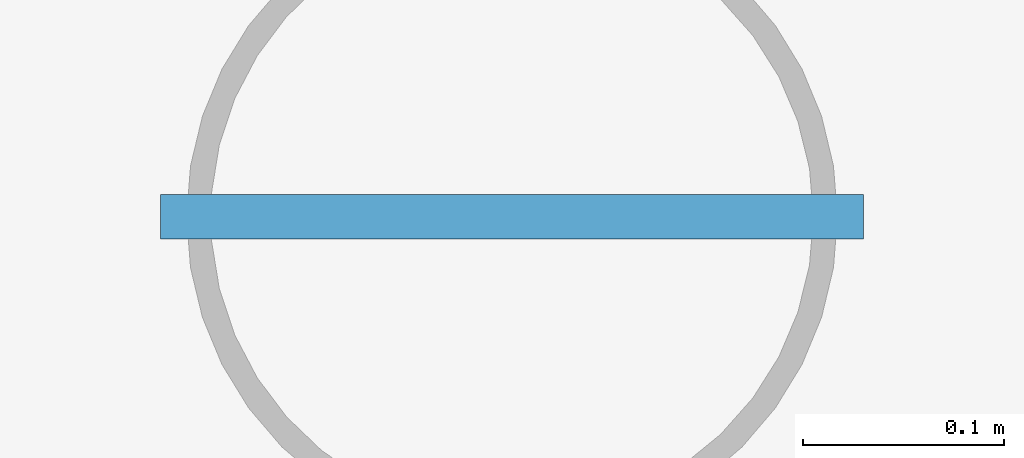
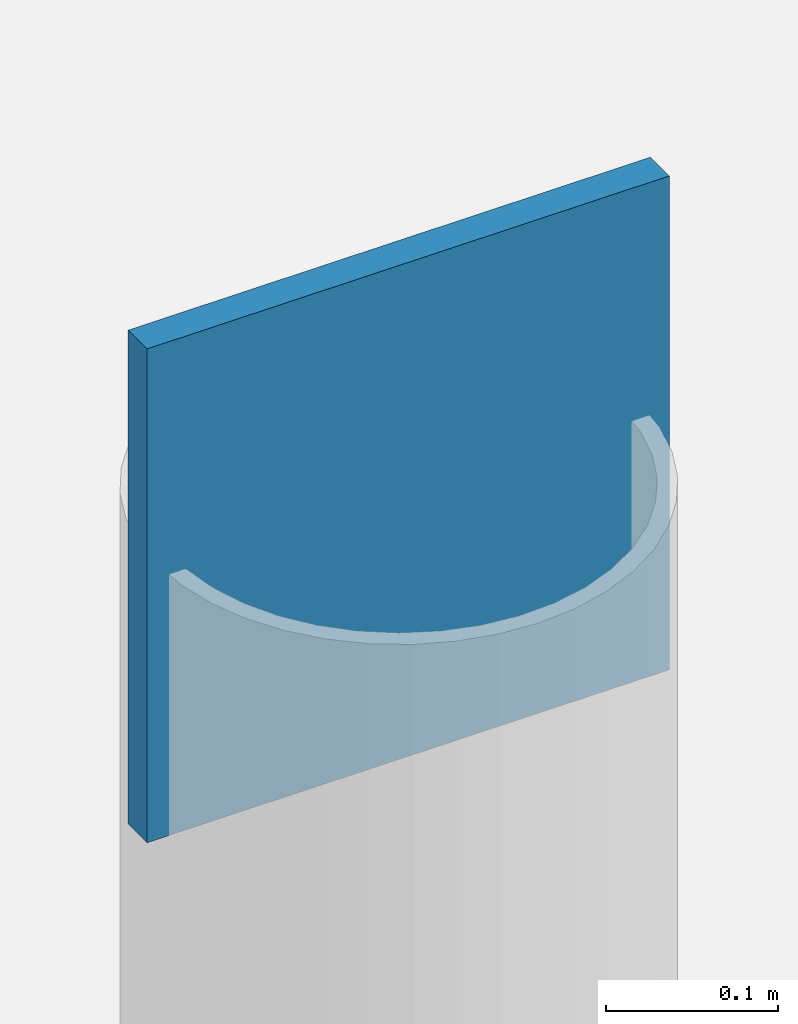
# One storey, part 43 of 52: 1 plate.
"""IFC4 building model written with IfcOpenShell, lengths in metres."""

from ifc_helpers import new_model, si_unit, direction, frame, origin, origin_2d, place, context, subcontext, project, spatial, rectangle, extrude, material, layer, layer_set, type_object, element, save


model = new_model("IFC4")

# Units and contexts
model_context = context("Model", 3, precision=1e-05, world=origin(), true_north=direction((0.0, 1.0)))
body_context = subcontext(model_context, "Body", "Model", "MODEL_VIEW")
ifc_project = project(units=[si_unit("LENGTHUNIT", "METRE"), si_unit("AREAUNIT", "SQUARE_METRE"), si_unit("VOLUMEUNIT", "CUBIC_METRE"), si_unit("PLANEANGLEUNIT", "RADIAN"), si_unit("MASSUNIT", "GRAM", prefix="KILO")], contexts=[model_context])

# Site, building, storey
site_placement = place(None, origin())
site = spatial("IfcSite", under=ifc_project, at=site_placement, CompositionType="ELEMENT")
building_placement = place(site_placement, origin())
building = spatial("IfcBuilding", under=site, at=building_placement, Name="Valcora Specialist Clinic", CompositionType="ELEMENT")
storey_placement = place(building_placement, frame((0.0, 0.0, 17.679931640625)))
storey = spatial("IfcBuildingStorey", under=building, at=storey_placement, Name="L04", CompositionType="ELEMENT", Elevation=17.679931640625)

# Plate
ifc_material = material(Name="Steel ASTM A572 Grade 50", Category="steel")
ifc_layer = layer(ifc_material, 0.02197265625)
ifc_layer_set = layer_set([ifc_layer], Name="Steel ASTM A572 Grade 50")
plate_type = type_object("IfcPlateType", Name="TY-PL-EC324", PredefinedType="USERDEFINED", material=ifc_layer_set)
plate_placement = place(storey_placement, frame((61.60009765625, 56.0, 3.89404296875), z_axis=(0.0, 0.0, 1.0), x_axis=(1.0, 0.0, 0.0)))
element("IfcPlate", 1, at=plate_placement, inside=storey, type_object=plate_type, Name="Column end-cap plate COL-L04-0976", ObjectType="FLANGE_PLATE", PredefinedType="USERDEFINED", context=body_context, shape_type="SweptSolid", body=[
    extrude(rectangle(XDim=0.35009765625, YDim=0.02197265625, at=origin_2d()), origin(), (0.0, 0.0, 1.0), 0.35009765625),
])

save(model, "model.ifc")
